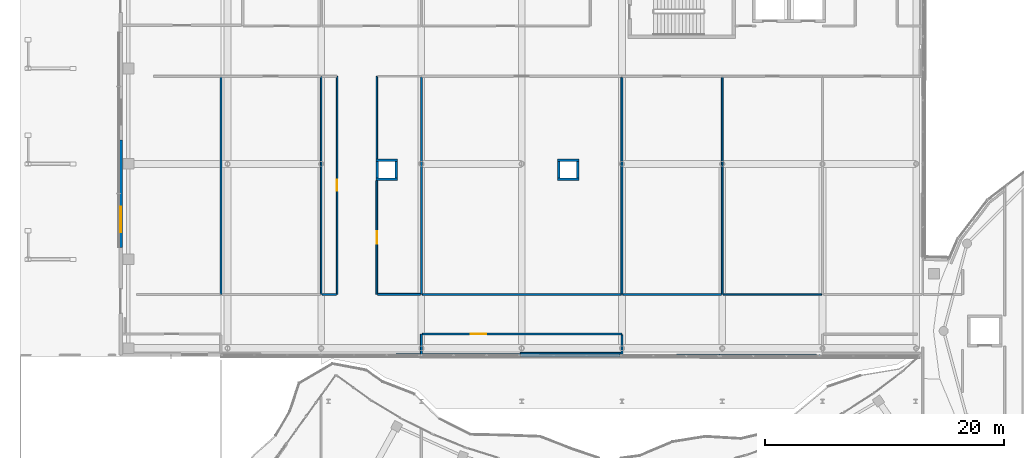
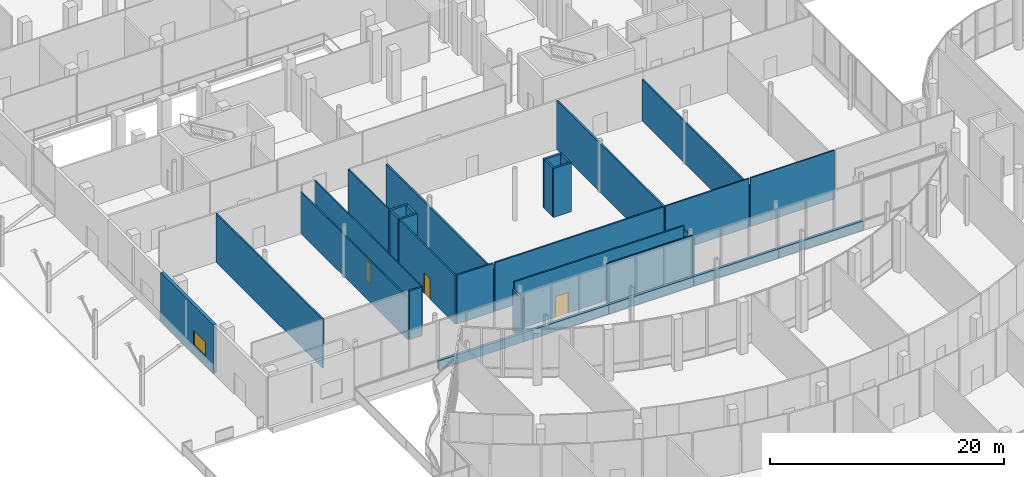
# One storey, part 134 of 158: 31 walls, 3 doors, 1 window, 4 openings.
"""IFC4 building model written with IfcOpenShell, lengths in metres."""

from ifc_helpers import new_model, si_unit, direction, frame, frame_2d, origin, place, context, subcontext, project, spatial, rectangle, extrude, material, layer, layer_set, type_object, element, fill, save


model = new_model("IFC4")

# Units and contexts
model_context = context("Model", 3, precision=1e-05, world=origin(), true_north=direction((0.0, 1.0)))
body_context = subcontext(model_context, "Body", "Model", "MODEL_VIEW")
ifc_project = project(units=[si_unit("LENGTHUNIT", "METRE"), si_unit("AREAUNIT", "SQUARE_METRE"), si_unit("VOLUMEUNIT", "CUBIC_METRE"), si_unit("PLANEANGLEUNIT", "RADIAN"), si_unit("MASSUNIT", "GRAM", prefix="KILO")], contexts=[model_context])

# Site, building, storey
site_placement = place(None, origin())
site = spatial("IfcSite", under=ifc_project, at=site_placement, CompositionType="ELEMENT")
building_placement = place(site_placement, origin())
building = spatial("IfcBuilding", under=site, at=building_placement, Name="Selatvlak General Hospital", CompositionType="ELEMENT")
storey_placement = place(building_placement, origin())
storey = spatial("IfcBuildingStorey", under=building, at=storey_placement, Name="L00", CompositionType="ELEMENT", Elevation=0.0)

# Wall, opening, window
ifc_material_1 = material(Name="Precast concrete C40/50 - white fair-faced", Category="concrete")
ifc_layer_1 = layer(ifc_material_1, 0.300048828125, Name="Precast concrete C40/50 - white fair-faced", Category="concrete")
ifc_layer_set_1 = layer_set([ifc_layer_1], Name="Precast concrete C40/50 - white fair-faced")
wall_type_1 = type_object("IfcWallType", Name="WALL-EW-01", PredefinedType="SOLIDWALL", material=ifc_layer_set_1)
wall_1_placement = place(storey_placement, frame((14.39990234375, 61.0, 0.0), z_axis=(0.0, 0.0, 1.0), x_axis=(0.0, 1.0, 0.0)))
wall_1 = element("IfcWall", 1, at=wall_1_placement, inside=storey, type_object=wall_type_1, Name="L00 exterior wall 0143", PredefinedType="SOLIDWALL", context=body_context, shape_type="SweptSolid", body=[
    extrude(rectangle(XDim=8.9990234375, YDim=0.300048828125, at=frame_2d((4.49951171875, 0.0))), origin(), (0.0, 0.0, 1.0), 5.080078125),
])
opening_1_placement = place(wall_1_placement, frame((1.2900390625, 0.0, 0.9599609375)))
opening_1 = element("IfcOpeningElement", 2, at=opening_1_placement, cuts=wall_1, Name="Opening WN-06", PredefinedType="OPENING", context=body_context, shape_type="SweptSolid", body=[
    extrude(rectangle(XDim=2.10009765625, YDim=1.5, at=frame_2d((1.050048828125, 0.75))), frame((0.0, 0.159912109375, 0.0), z_axis=(0.0, -1.0, 0.0), x_axis=(1.0, 0.0, 0.0)), (0.0, 0.0, 1.0), 0.320068359375),
])
ifc_material_2 = material(Name="Thermally broken aluminium Low-E window", Category="aluminium")
window_type = type_object("IfcWindowType", Name="WIN-WN-06", PartitioningType="SINGLE_PANEL", PredefinedType="WINDOW", material=ifc_material_2)
window_placement = place(opening_1_placement, origin())
window = element("IfcWindow", 3, at=window_placement, inside=storey, type_object=window_type, Name="L00 Bauhaus ribbon window 0001", OverallHeight=1.5, OverallWidth=2.10009765625, PartitioningType="SINGLE_PANEL", PredefinedType="WINDOW", context=body_context, shape_type="SweptSolid", body=[
    extrude(rectangle(XDim=2.10009765625, YDim=1.5, at=frame_2d((1.050048828125, 0.75))), frame((0.0, 0.030029296875, 0.0), z_axis=(0.0, -1.0, 0.0), x_axis=(1.0, 0.0, 0.0)), (0.0, 0.0, 1.0), 0.06005859375),
])
fill(opening_1, window)

# Walls
ifc_material_3 = material(Name="Precast concrete C40/50 - white Bauhaus spandrel", Category="concrete")
ifc_layer_2 = layer(ifc_material_3, 0.280029296875, Name="Precast concrete C40/50 - white Bauhaus spandrel", Category="concrete")
ifc_layer_set_2 = layer_set([ifc_layer_2], Name="Precast concrete C40/50 - white Bauhaus spandrel")
wall_type_2 = type_object("IfcWallType", Name="WALL-EW-02", PredefinedType="SOLIDWALL", material=ifc_layer_set_2)
for number, where, z_axis, x_axis, name in (
    (4, (72.97802734375, 51.909912109375, 0.0), (0.0, 0.0, 1.0), (-0.999998360026, 0.001811062053, 0.0), "L00 Bauhaus spandrel sill wall 0181"),
    (5, (64.615966796875, 51.925048828125, 0.0), (0.0, 0.0, 1.0), (-0.999998412501, 0.001781851468, 0.0), "L00 Bauhaus spandrel sill wall 0182"),
):
    element("IfcWall", number, at=place(storey_placement, frame(where, z_axis=z_axis, x_axis=x_axis)), inside=storey, type_object=wall_type_2, Name=name, PredefinedType="SOLIDWALL", context=body_context, shape_type="SweptSolid", body=[
        extrude(rectangle(XDim=8.35791015625, YDim=0.280029296875, at=frame_2d((4.178955078125, 0.0))), origin(), (0.0, 0.0, 1.0), 0.93994140625),
    ])
wall_2_placement = place(storey_placement, frame((56.25390625, 51.93994140625, 0.0), z_axis=(0.0, 0.0, 1.0), x_axis=(-0.999998359642, 0.001811273687, 0.0)))
element("IfcWall", 6, at=wall_2_placement, inside=storey, type_object=wall_type_2, Name="L00 Bauhaus spandrel sill wall 0183", PredefinedType="SOLIDWALL", context=body_context, shape_type="SweptSolid", body=[
    extrude(rectangle(XDim=8.35693359375, YDim=0.280029296875, at=frame_2d((4.178466796875, 0.0))), origin(), (0.0, 0.0, 1.0), 0.93994140625),
])
wall_3_placement = place(storey_placement, frame((47.89306640625, 51.955078125, 0.0), z_axis=(0.0, 0.0, 1.0), x_axis=(-0.999998412594, 0.001781799421, 0.0)))
element("IfcWall", 7, at=wall_3_placement, inside=storey, type_object=wall_type_2, Name="L00 Bauhaus spandrel sill wall 0184", PredefinedType="SOLIDWALL", context=body_context, shape_type="SweptSolid", body=[
    extrude(rectangle(XDim=8.358154296875, YDim=0.280029296875, at=frame_2d((4.17919921875, 0.0))), origin(), (0.0, 0.0, 1.0), 0.93994140625),
])
wall_4_placement = place(storey_placement, frame((39.531005859375, 51.969970703125, 0.0), z_axis=(0.0, 0.0, 1.0), x_axis=(-0.999998360026, 0.001811062053, 0.0)))
element("IfcWall", 8, at=wall_4_placement, inside=storey, type_object=wall_type_2, Name="L00 Bauhaus spandrel sill wall 0185", PredefinedType="SOLIDWALL", context=body_context, shape_type="SweptSolid", body=[
    extrude(rectangle(XDim=8.35791015625, YDim=0.280029296875, at=frame_2d((4.178955078125, 0.0))), origin(), (0.0, 0.0, 1.0), 0.93994140625),
])
ifc_material_4 = material(Name="Concrete C40/50", Category="concrete")
ifc_layer_3 = layer(ifc_material_4, 0.199951171875, Name="Concrete C40/50", Category="concrete")
ifc_layer_set_3 = layer_set([ifc_layer_3], Name="Concrete C40/50")
wall_type_3 = type_object("IfcWallType", Name="WALL-IW-02", PredefinedType="SOLIDWALL", material=ifc_layer_set_3)
wall_5_placement = place(storey_placement, frame((51.0, 66.699951171875, 0.0), z_axis=(0.0, 0.0, 1.0), x_axis=(1.0, 0.0, 0.0)))
element("IfcWall", 9, at=wall_5_placement, inside=storey, type_object=wall_type_3, Name="Service riser 3 shaft wall L00 S", PredefinedType="SOLIDWALL", context=body_context, shape_type="SweptSolid", body=[
    extrude(rectangle(XDim=1.800048828125, YDim=0.199951171875, at=frame_2d((0.89990234375, 0.0))), origin(), (0.0, 0.0, 1.0), 5.080078125),
])
wall_6_placement = place(storey_placement, frame((52.699951171875, 66.800048828125, 0.0), z_axis=(0.0, 0.0, 1.0), x_axis=(0.0, 1.0, 0.0)))
element("IfcWall", 10, at=wall_6_placement, inside=storey, type_object=wall_type_3, Name="Service riser 3 shaft wall L00 E", PredefinedType="SOLIDWALL", context=body_context, shape_type="SweptSolid", body=[
    extrude(rectangle(XDim=1.39990234375, YDim=0.199951171875, at=frame_2d((0.699951171875, 0.0))), origin(), (0.0, 0.0, 1.0), 5.080078125),
])
wall_7_placement = place(storey_placement, frame((52.800048828125, 68.300048828125, 0.0), z_axis=(0.0, 0.0, 1.0), x_axis=(-1.0, 0.0, 0.0)))
element("IfcWall", 11, at=wall_7_placement, inside=storey, type_object=wall_type_3, Name="Service riser 3 shaft wall L00 N", PredefinedType="SOLIDWALL", context=body_context, shape_type="SweptSolid", body=[
    extrude(rectangle(XDim=1.800048828125, YDim=0.199951171875, at=frame_2d((0.89990234375, 0.0))), origin(), (0.0, 0.0, 1.0), 5.080078125),
])
wall_8_placement = place(storey_placement, frame((51.10009765625, 68.199951171875, 0.0), z_axis=(0.0, 0.0, 1.0), x_axis=(0.0, -1.0, 0.0)))
element("IfcWall", 12, at=wall_8_placement, inside=storey, type_object=wall_type_3, Name="Service riser 3 shaft wall L00 W", PredefinedType="SOLIDWALL", context=body_context, shape_type="SweptSolid", body=[
    extrude(rectangle(XDim=1.39990234375, YDim=0.199951171875, at=frame_2d((0.699951171875, 0.0))), origin(), (0.0, 0.0, 1.0), 5.080078125),
])
wall_9_placement = place(storey_placement, frame((35.800048828125, 66.699951171875, 0.0), z_axis=(0.0, 0.0, 1.0), x_axis=(1.0, 0.0, 0.0)))
element("IfcWall", 13, at=wall_9_placement, inside=storey, type_object=wall_type_3, Name="Service riser 5 shaft wall L00 S", PredefinedType="SOLIDWALL", context=body_context, shape_type="SweptSolid", body=[
    extrude(rectangle(XDim=1.800048828125, YDim=0.199951171875, at=frame_2d((0.89990234375, 0.0))), origin(), (0.0, 0.0, 1.0), 5.080078125),
])
wall_10_placement = place(storey_placement, frame((37.5, 66.800048828125, 0.0), z_axis=(0.0, 0.0, 1.0), x_axis=(0.0, 1.0, 0.0)))
element("IfcWall", 14, at=wall_10_placement, inside=storey, type_object=wall_type_3, Name="Service riser 5 shaft wall L00 E", PredefinedType="SOLIDWALL", context=body_context, shape_type="SweptSolid", body=[
    extrude(rectangle(XDim=1.39990234375, YDim=0.199951171875, at=frame_2d((0.699951171875, 0.0))), origin(), (0.0, 0.0, 1.0), 5.080078125),
])
wall_11_placement = place(storey_placement, frame((37.60009765625, 68.300048828125, 0.0), z_axis=(0.0, 0.0, 1.0), x_axis=(-1.0, 0.0, 0.0)))
element("IfcWall", 15, at=wall_11_placement, inside=storey, type_object=wall_type_3, Name="Service riser 5 shaft wall L00 N", PredefinedType="SOLIDWALL", context=body_context, shape_type="SweptSolid", body=[
    extrude(rectangle(XDim=1.800048828125, YDim=0.199951171875, at=frame_2d((0.89990234375, 0.0))), origin(), (0.0, 0.0, 1.0), 5.080078125),
])
wall_12_placement = place(storey_placement, frame((35.89990234375, 68.199951171875, 0.0), z_axis=(0.0, 0.0, 1.0), x_axis=(0.0, -1.0, 0.0)))
element("IfcWall", 16, at=wall_12_placement, inside=storey, type_object=wall_type_3, Name="Service riser 5 shaft wall L00 W", PredefinedType="SOLIDWALL", context=body_context, shape_type="SweptSolid", body=[
    extrude(rectangle(XDim=1.39990234375, YDim=0.199951171875, at=frame_2d((0.699951171875, 0.0))), origin(), (0.0, 0.0, 1.0), 5.080078125),
])
ifc_material_5 = material(Name="Acoustic gypsum stud partition")
ifc_layer_4 = layer(ifc_material_5, 0.179931640625, Name="Acoustic gypsum stud partition")
ifc_layer_set_4 = layer_set([ifc_layer_4], Name="Acoustic gypsum stud partition")
wall_type_4 = type_object("IfcWallType", Name="WALL-PT-01", PredefinedType="PARTITIONING", material=ifc_layer_set_4)
wall_13_placement = place(storey_placement, frame((32.48388671875, 57.06005859375, 0.0), z_axis=(0.0, 0.0, 1.0), x_axis=(-1.0, 0.0, 0.0)))
element("IfcWall", 17, at=wall_13_placement, inside=storey, type_object=wall_type_4, Name="L00 clinical partition PT-L00-0430", PredefinedType="PARTITIONING", context=body_context, shape_type="SweptSolid", body=[
    extrude(rectangle(XDim=1.227783203125, YDim=0.179931640625, at=frame_2d((0.61376953125, 0.0))), origin(), (0.0, 0.0, 1.0), 5.080078125),
])
wall_14_placement = place(storey_placement, frame((39.60009765625, 75.283935546875, 0.0), z_axis=(0.0, 0.0, 1.0), x_axis=(0.0, -1.0, 0.0)))
element("IfcWall", 18, at=wall_14_placement, inside=storey, type_object=wall_type_4, Name="L00 clinical partition PT-L00-0435", PredefinedType="PARTITIONING", context=body_context, shape_type="SweptSolid", body=[
    extrude(rectangle(XDim=18.223876953125, YDim=0.179931640625, at=frame_2d((9.11181640625, 0.0))), origin(), (0.0, 0.0, 1.0), 4.330078125),
])
ifc_layer_5 = layer(ifc_material_5, 0.1650390625, Name="Acoustic gypsum stud partition")
ifc_layer_set_5 = layer_set([ifc_layer_5], Name="Acoustic gypsum stud partition")
wall_type_5 = type_object("IfcWallType", Name="WALL-PT-02", PredefinedType="PARTITIONING", material=ifc_layer_set_5)
wall_15_placement = place(storey_placement, frame((39.513916015625, 57.06005859375, 0.0), z_axis=(0.0, 0.0, 1.0), x_axis=(-1.0, 0.0, 0.0)))
element("IfcWall", 19, at=wall_15_placement, inside=storey, type_object=wall_type_5, Name="L00 clinical partition PT-L00-0436", PredefinedType="PARTITIONING", context=body_context, shape_type="SweptSolid", body=[
    extrude(rectangle(XDim=3.5830078125, YDim=0.1650390625, at=frame_2d((1.79150390625, 0.0))), origin(), (0.0, 0.0, 1.0), 5.080078125),
])
wall_16_placement = place(storey_placement, frame((39.60009765625, 52.011962890625, 0.0), z_axis=(0.0, 0.0, 1.0), x_axis=(0.0, 1.0, 0.0)))
element("IfcWall", 20, at=wall_16_placement, inside=storey, type_object=wall_type_5, Name="L00 clinical partition PT-L00-0451", PredefinedType="PARTITIONING", context=body_context, shape_type="SweptSolid", body=[
    extrude(rectangle(XDim=1.72802734375, YDim=0.1650390625, at=frame_2d((0.864013671875, 0.0))), origin(), (0.0, 0.0, 1.0), 4.330078125),
])
wall_17_placement = place(storey_placement, frame((56.39990234375, 75.25390625, 0.0), z_axis=(0.0, 0.0, 1.0), x_axis=(0.0, -1.0, 0.0)))
element("IfcWall", 21, at=wall_17_placement, inside=storey, type_object=wall_type_5, Name="L00 clinical partition PT-L00-0456", PredefinedType="PARTITIONING", context=body_context, shape_type="SweptSolid", body=[
    extrude(rectangle(XDim=18.19384765625, YDim=0.1650390625, at=frame_2d((9.096923828125, 0.0))), origin(), (0.0, 0.0, 1.0), 5.080078125),
])
ifc_layer_6 = layer(ifc_material_5, 0.14990234375, Name="Acoustic gypsum stud partition")
ifc_layer_set_6 = layer_set([ifc_layer_6], Name="Acoustic gypsum stud partition")
wall_type_6 = type_object("IfcWallType", Name="WALL-PT-03", PredefinedType="PARTITIONING", material=ifc_layer_set_6)
wall_18_placement = place(storey_placement, frame((22.800048828125, 75.260986328125, 0.0), z_axis=(0.0, 0.0, 1.0), x_axis=(0.0, -1.0, 0.0)))
element("IfcWall", 22, at=wall_18_placement, inside=storey, type_object=wall_type_6, Name="L00 clinical partition PT-L00-0402", PredefinedType="PARTITIONING", context=body_context, shape_type="SweptSolid", body=[
    extrude(rectangle(XDim=18.200927734375, YDim=0.14990234375, at=frame_2d((9.1005859375, 0.0))), origin(), (0.0, 0.0, 1.0), 5.080078125),
])

# Wall, opening, door
wall_19_placement = place(storey_placement, frame((35.860107421875, 57.06005859375, 0.0), z_axis=(0.0, 0.0, 1.0), x_axis=(0.0, 1.0, 0.0)))
wall_19 = element("IfcWall", 23, at=wall_19_placement, inside=storey, type_object=wall_type_6, Name="L00 clinical partition PT-L00-0432", PredefinedType="PARTITIONING", context=body_context, shape_type="SweptSolid", body=[
    extrude(rectangle(XDim=9.54296875, YDim=0.14990234375, at=frame_2d((4.771484375, 0.0))), origin(), (0.0, 0.0, 1.0), 5.080078125),
])
opening_2_placement = place(wall_19_placement, frame((4.24609375, 0.0, 0.0)))
opening_2 = element("IfcOpeningElement", 24, at=opening_2_placement, cuts=wall_19, Name="Opening D-04", PredefinedType="OPENING", context=body_context, shape_type="SweptSolid", body=[
    extrude(rectangle(XDim=1.050048828125, YDim=2.14990234375, at=frame_2d((0.52490234375, 1.074951171875))), frame((0.0, 0.0849609375, 0.0), z_axis=(0.0, -1.0, 0.0), x_axis=(1.0, 0.0, 0.0)), (0.0, 0.0, 1.0), 0.169921875),
])
ifc_material_6 = material(Name="Consultation room door")
door_type_1 = type_object("IfcDoorType", Name="DOOR-D-04", OperationType="NOTDEFINED", PredefinedType="DOOR", material=ifc_material_6)
door_1_placement = place(opening_2_placement, origin())
door_1 = element("IfcDoor", 25, at=door_1_placement, inside=storey, type_object=door_type_1, Name="L00 Emergency Acute Treatment Room 07 door", OperationType="SINGLE_SWING_LEFT", OverallHeight=2.14990234375, OverallWidth=1.050048828125, PredefinedType="DOOR", context=body_context, shape_type="SweptSolid", body=[
    extrude(rectangle(XDim=1.050048828125, YDim=2.14990234375, at=frame_2d((0.52490234375, 1.074951171875))), frame((0.0, 0.02490234375, 0.0), z_axis=(0.0, -1.0, 0.0), x_axis=(1.0, 0.0, 0.0)), (0.0, 0.0, 1.0), 0.050048828125),
])
fill(opening_2, door_1)

wall_20_placement = place(storey_placement, frame((39.677978515625, 53.739990234375, 0.0), z_axis=(0.0, 0.0, 1.0), x_axis=(1.0, 0.0, 0.0)))
wall_20 = element("IfcWall", 26, at=wall_20_placement, inside=storey, type_object=wall_type_6, Name="L00 clinical partition PT-L00-0452", PredefinedType="PARTITIONING", context=body_context, shape_type="SweptSolid", body=[
    extrude(rectangle(XDim=16.721923828125, YDim=0.14990234375, at=frame_2d((8.36083984375, 0.0))), origin(), (0.0, 0.0, 1.0), 5.080078125),
])
opening_3_placement = place(wall_20_placement, frame((4.031982421875, 0.0, 0.0)))
opening_3 = element("IfcOpeningElement", 27, at=opening_3_placement, cuts=wall_20, Name="Opening D-24", PredefinedType="OPENING", context=body_context, shape_type="SweptSolid", body=[
    extrude(rectangle(XDim=1.300048828125, YDim=2.14990234375, at=frame_2d((0.64990234375, 1.074951171875))), frame((0.0, 0.0849609375, 0.0), z_axis=(0.0, -1.0, 0.0), x_axis=(1.0, 0.0, 0.0)), (0.0, 0.0, 1.0), 0.169921875),
])
ifc_material_7 = material(Name="Oncology bay door")
door_type_2 = type_object("IfcDoorType", Name="DOOR-D-24", OperationType="NOTDEFINED", PredefinedType="DOOR", material=ifc_material_7)
door_2_placement = place(opening_3_placement, origin())
door_2 = element("IfcDoor", 28, at=door_2_placement, inside=storey, type_object=door_type_2, Name="L00 Outpatient Specialist Consultation Clinic 10 door", OperationType="SINGLE_SWING_RIGHT", OverallHeight=2.14990234375, OverallWidth=1.300048828125, PredefinedType="DOOR", context=body_context, shape_type="SweptSolid", body=[
    extrude(rectangle(XDim=1.300048828125, YDim=2.14990234375, at=frame_2d((0.64990234375, 1.074951171875))), frame((0.0, 0.02490234375, 0.0), z_axis=(0.0, -1.0, 0.0), x_axis=(1.0, 0.0, 0.0)), (0.0, 0.0, 1.0), 0.050048828125),
])
fill(opening_3, door_2)

# Walls
wall_21_placement = place(storey_placement, frame((56.322021484375, 57.06005859375, 0.0), z_axis=(0.0, 0.0, 1.0), x_axis=(-1.0, 0.0, 0.0)))
element("IfcWall", 29, at=wall_21_placement, inside=storey, type_object=wall_type_6, Name="L00 clinical partition PT-L00-0457", PredefinedType="PARTITIONING", context=body_context, shape_type="SweptSolid", body=[
    extrude(rectangle(XDim=16.635986328125, YDim=0.14990234375, at=frame_2d((8.31787109375, 0.0))), origin(), (0.0, 0.0, 1.0), 5.080078125),
])
wall_22_placement = place(storey_placement, frame((64.800048828125, 75.260986328125, 0.0), z_axis=(0.0, 0.0, 1.0), x_axis=(0.0, -1.0, 0.0)))
element("IfcWall", 30, at=wall_22_placement, inside=storey, type_object=wall_type_6, Name="L00 clinical partition PT-L00-0467", PredefinedType="PARTITIONING", context=body_context, shape_type="SweptSolid", body=[
    extrude(rectangle(XDim=18.200927734375, YDim=0.14990234375, at=frame_2d((9.1005859375, 0.0))), origin(), (0.0, 0.0, 1.0), 4.330078125),
])
ifc_material_8 = material(Name="Moisture-resistant clinical partition")
ifc_layer_7 = layer(ifc_material_8, 0.135009765625, Name="Moisture-resistant clinical partition")
ifc_layer_set_7 = layer_set([ifc_layer_7], Name="Moisture-resistant clinical partition")
wall_type_7 = type_object("IfcWallType", Name="WALL-PT-04", PredefinedType="PARTITIONING", material=ifc_layer_set_7)
wall_23_placement = place(storey_placement, frame((35.860107421875, 68.39697265625, 0.0), z_axis=(0.0, 0.0, 1.0), x_axis=(0.0, 1.0, 0.0)))
element("IfcWall", 31, at=wall_23_placement, inside=storey, type_object=wall_type_7, Name="L00 clinical partition PT-L00-0433", PredefinedType="PARTITIONING", context=body_context, shape_type="SweptSolid", body=[
    extrude(rectangle(XDim=6.943115234375, YDim=0.135009765625, at=frame_2d((3.4716796875, 0.0))), origin(), (0.0, 0.0, 1.0), 5.080078125),
])
wall_24_placement = place(storey_placement, frame((56.39990234375, 53.6689453125, 0.0), z_axis=(0.0, 0.0, 1.0), x_axis=(0.0, -1.0, 0.0)))
element("IfcWall", 32, at=wall_24_placement, inside=storey, type_object=wall_type_7, Name="L00 clinical partition PT-L00-0453", PredefinedType="PARTITIONING", context=body_context, shape_type="SweptSolid", body=[
    extrude(rectangle(XDim=1.658935546875, YDim=0.135009765625, at=frame_2d((0.82958984375, 0.0))), origin(), (0.0, 0.0, 1.0), 4.760009765625),
])
wall_25_placement = place(storey_placement, frame((64.72900390625, 57.06005859375, 0.0), z_axis=(0.0, 0.0, 1.0), x_axis=(-1.0, 0.0, 0.0)))
element("IfcWall", 33, at=wall_25_placement, inside=storey, type_object=wall_type_7, Name="L00 clinical partition PT-L00-0468", PredefinedType="PARTITIONING", context=body_context, shape_type="SweptSolid", body=[
    extrude(rectangle(XDim=8.2509765625, YDim=0.135009765625, at=frame_2d((4.12548828125, 0.0))), origin(), (0.0, 0.0, 1.0), 5.080078125),
])
ifc_layer_8 = layer(ifc_material_8, 0.1201171875, Name="Moisture-resistant clinical partition")
ifc_layer_set_8 = layer_set([ifc_layer_8], Name="Moisture-resistant clinical partition")
wall_type_8 = type_object("IfcWallType", Name="WALL-PT-05", PredefinedType="PARTITIONING", material=ifc_layer_set_8)
wall_26_placement = place(storey_placement, frame((31.199951171875, 75.340087890625, 0.0), z_axis=(0.0, 0.0, 1.0), x_axis=(0.0, -1.0, 0.0)))
element("IfcWall", 34, at=wall_26_placement, inside=storey, type_object=wall_type_8, Name="L00 clinical partition PT-L00-0419", PredefinedType="PARTITIONING", context=body_context, shape_type="SweptSolid", body=[
    extrude(rectangle(XDim=18.280029296875, YDim=0.1201171875, at=frame_2d((9.14013671875, 0.0))), origin(), (0.0, 0.0, 1.0), 4.330078125),
])

# Wall, opening, door
wall_27_placement = place(storey_placement, frame((32.5400390625, 75.340087890625, 0.0), z_axis=(0.0, 0.0, 1.0), x_axis=(0.0, -1.0, 0.0)))
wall_27 = element("IfcWall", 35, at=wall_27_placement, inside=storey, type_object=wall_type_8, Name="L00 clinical partition PT-L00-0429", PredefinedType="PARTITIONING", context=body_context, shape_type="SweptSolid", body=[
    extrude(rectangle(XDim=18.280029296875, YDim=0.1201171875, at=frame_2d((9.14013671875, 0.0))), origin(), (0.0, 0.0, 1.0), 5.080078125),
])
opening_4_placement = place(wall_27_placement, frame((8.68994140625, 0.0, 0.0)))
opening_4 = element("IfcOpeningElement", 36, at=opening_4_placement, cuts=wall_27, Name="Opening D-01", PredefinedType="OPENING", context=body_context, shape_type="SweptSolid", body=[
    extrude(rectangle(XDim=0.89990234375, YDim=2.10009765625, at=frame_2d((0.449951171875, 1.050048828125))), frame((0.0, 0.070068359375, 0.0), z_axis=(0.0, -1.0, 0.0), x_axis=(1.0, 0.0, 0.0)), (0.0, 0.0, 1.0), 0.14013671875),
])
ifc_material_9 = material(Name="Hardwood clinical room door", Category="wood")
door_type_3 = type_object("IfcDoorType", Name="DOOR-D-01", OperationType="NOTDEFINED", PredefinedType="DOOR", material=ifc_material_9)
door_3_placement = place(opening_4_placement, origin())
door_3 = element("IfcDoor", 37, at=door_3_placement, inside=storey, type_object=door_type_3, Name="L00 Emergency Ambulance Triage Suite 06 door", OperationType="SINGLE_SWING_RIGHT", OverallHeight=2.10009765625, OverallWidth=0.89990234375, PredefinedType="DOOR", context=body_context, shape_type="SweptSolid", body=[
    extrude(rectangle(XDim=0.89990234375, YDim=2.10009765625, at=frame_2d((0.449951171875, 1.050048828125))), frame((0.0, 0.02490234375, 0.0), z_axis=(0.0, -1.0, 0.0), x_axis=(1.0, 0.0, 0.0)), (0.0, 0.0, 1.0), 0.050048828125),
])
fill(opening_4, door_3)

# Walls
wall_28_placement = place(storey_placement, frame((56.3369140625, 52.139892578125, 0.0), z_axis=(0.0, 0.0, 1.0), x_axis=(-1.0, 0.0, 0.0)))
element("IfcWall", 38, at=wall_28_placement, inside=storey, type_object=wall_type_8, Name="L00 clinical partition PT-L00-0454", PredefinedType="PARTITIONING", context=body_context, shape_type="SweptSolid", body=[
    extrude(rectangle(XDim=8.44384765625, YDim=0.1201171875, at=frame_2d((4.221923828125, 0.0))), origin(), (0.0, 0.0, 1.0), 5.080078125),
])
wall_29_placement = place(storey_placement, frame((73.135986328125, 57.06005859375, 0.0), z_axis=(0.0, 0.0, 1.0), x_axis=(-1.0, 0.0, 0.0)))
element("IfcWall", 39, at=wall_29_placement, inside=storey, type_object=wall_type_8, Name="L00 clinical partition PT-L00-0479", PredefinedType="PARTITIONING", context=body_context, shape_type="SweptSolid", body=[
    extrude(rectangle(XDim=8.264892578125, YDim=0.1201171875, at=frame_2d((4.13232421875, 0.0))), origin(), (0.0, 0.0, 1.0), 5.080078125),
])

save(model, "model.ifc")
